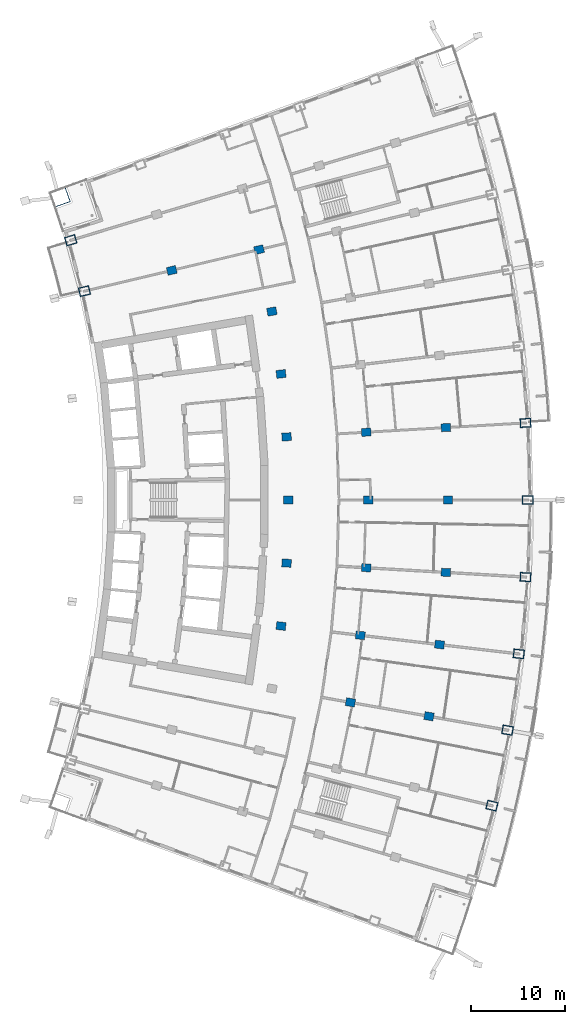
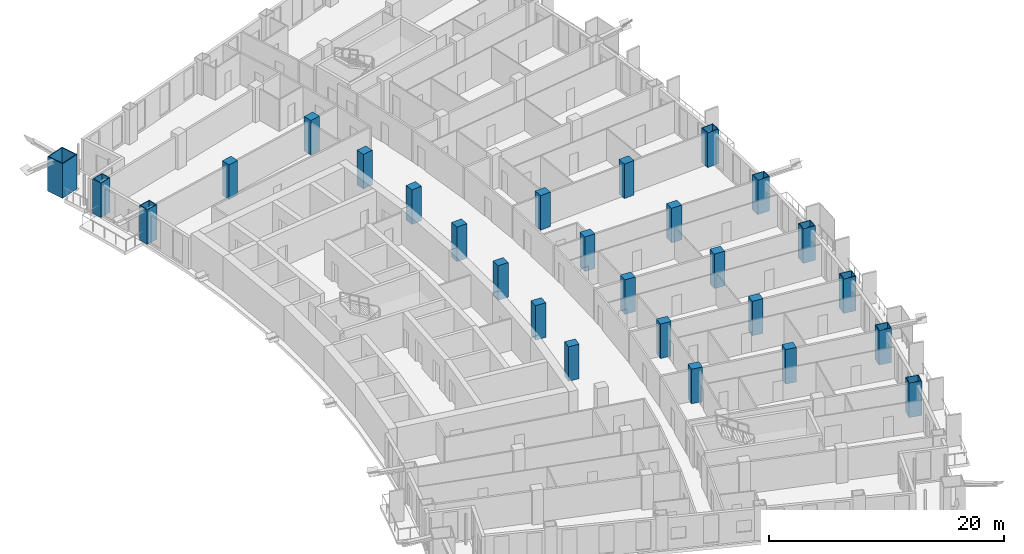
# One storey, part 5 of 23: 27 columns.
"""IFC4 building model written with IfcOpenShell, lengths in metres."""

import ifcopenshell
import ifcopenshell.guid

model = None  # the IFC model being written
_history = None  # IfcOwnerHistory: only IFC2X3 demands one
_inside = {}  # id of a spatial element -> (the spatial element, [elements in it])
_under = {}  # id of a project, library or spatial element -> (it, [spatial elements below it])
_declared = {}  # id of a project -> (the project, [libraries it declares])
_typed = {}  # id of a type object -> (the type object, [elements of that type])
_made_of = {}  # id of a material, layer set ... -> (it, [elements and type objects made of it])


def new_model(schema):
    """Start an empty IFC model of exactly this schema.

    Asked for "IFC4X3", IfcOpenShell would pick the latest addendum, in which some entities
    have other attributes; the version numbers below select the first issue.
    IFC2X3 requires an IfcOwnerHistory on every rooted entity: one is made here for all.
    """
    global model, _history
    if schema == "IFC4X3":
        model = ifcopenshell.file(schema_version=(4, 3, 0, 0))
    else:
        model = ifcopenshell.file(schema=schema)
    _inside.clear()
    _under.clear()
    _declared.clear()
    _typed.clear()
    _made_of.clear()
    _history = None
    if model.schema == "IFC2X3":
        org = make("IfcOrganization", Name="unknown")
        user = make(
            "IfcPersonAndOrganization",
            ThePerson=make("IfcPerson", FamilyName="unknown"),
            TheOrganization=org,
        )
        app = make(
            "IfcApplication",
            ApplicationDeveloper=org,
            Version="unknown",
            ApplicationFullName="unknown",
            ApplicationIdentifier="unknown",
        )
        _history = make(
            "IfcOwnerHistory",
            OwningUser=user,
            OwningApplication=app,
            ChangeAction="ADDED",
            CreationDate=0,
        )
    return model


def make(cls, **values):
    """One entity of the class cls with the attributes given. An attribute that is None is left unset."""
    return model.create_entity(
        cls, **{name: value for name, value in values.items() if value is not None}
    )


def rooted(cls, **values):
    """An entity with a GlobalId (a new one), such as an element, a storey or a relation."""
    return make(cls, GlobalId=ifcopenshell.guid.new(), OwnerHistory=_history, **values)


def si_unit(unit_type, name, prefix=None):
    """IfcSIUnit, for example si_unit("LENGTHUNIT", "METRE", prefix="MILLI")."""
    return make("IfcSIUnit", UnitType=unit_type, Prefix=prefix, Name=name)


def assignment(units):
    """IfcUnitAssignment: the units of a project."""
    return None if units is None else make("IfcUnitAssignment", Units=units)


def point(xyz):
    """IfcCartesianPoint."""
    return None if xyz is None else make("IfcCartesianPoint", Coordinates=xyz)


def direction(xyz):
    """IfcDirection."""
    return None if xyz is None else make("IfcDirection", DirectionRatios=xyz)


def frame(location, z_axis=None, x_axis=None):
    """IfcAxis2Placement3D, a coordinate frame: its origin and axes. An axis left out is left unset."""
    return make(
        "IfcAxis2Placement3D",
        Location=point(location),
        Axis=direction(z_axis),
        RefDirection=direction(x_axis),
    )


def frame_2d(location, x_axis=None):
    """IfcAxis2Placement2D, a coordinate frame in the plane: its origin and x axis."""
    return make(
        "IfcAxis2Placement2D", Location=point(location), RefDirection=direction(x_axis)
    )


def origin():
    """The frame at (0, 0, 0) with its axes left unset."""
    return frame((0.0, 0.0, 0.0))


def origin_2d():
    """The frame at (0, 0) in the plane with its x axis left unset."""
    return frame_2d((0.0, 0.0))


def place(relative_to, where):
    """IfcLocalPlacement: puts the frame where relative to a parent placement (None: the world)."""
    return make(
        "IfcLocalPlacement", PlacementRelTo=relative_to, RelativePlacement=where
    )


def context(
    kind, dimensions, precision=None, world=None, true_north=None, identifier=None
):
    """IfcGeometricRepresentationContext, for example the 3D "Model" context."""
    return make(
        "IfcGeometricRepresentationContext",
        ContextIdentifier=identifier,
        ContextType=kind,
        CoordinateSpaceDimension=dimensions,
        Precision=precision,
        WorldCoordinateSystem=world,
        TrueNorth=true_north,
    )


def subcontext(parent, identifier, kind, view, scale=None):
    """IfcGeometricRepresentationSubContext, for example "Body" below "Model"."""
    return make(
        "IfcGeometricRepresentationSubContext",
        ContextIdentifier=identifier,
        ContextType=kind,
        ParentContext=parent,
        TargetScale=scale,
        TargetView=view,
    )


def project(units=None, contexts=None):
    """IfcProject with its units and contexts."""
    return rooted(
        "IfcProject",
        Name="project",
        RepresentationContexts=contexts,
        UnitsInContext=assignment(units),
    )


def spatial(cls, under=None, at=None, **own):
    """A site, building, storey or space (cls), placed at a placement, below another one or the project."""
    s = rooted(cls, ObjectPlacement=at, **own)
    if under is not None:
        _under.setdefault(under.id(), (under, []))[1].append(s)
    return s


def profile(cls, at=None, kind="AREA", **sizes):
    """A parametric profile (cls). Its sizes go by their IFC names, for example OverallWidth=200.0."""
    return make(cls, ProfileType=kind, Position=at, **sizes)


def rectangle(**sizes):
    """IfcRectangleProfileDef."""
    return profile("IfcRectangleProfileDef", **sizes)


def hollow_rectangle(**sizes):
    """IfcRectangleHollowProfileDef."""
    return profile("IfcRectangleHollowProfileDef", **sizes)


def extrude(swept, where, along, depth):
    """IfcExtrudedAreaSolid: the profile swept, set in the frame where, extruded along a direction by depth."""
    return make(
        "IfcExtrudedAreaSolid",
        SweptArea=swept,
        Position=where,
        ExtrudedDirection=direction(along),
        Depth=depth,
    )


def shape(context_of_items, identifier, shape_type, items):
    """IfcShapeRepresentation: the items that make up one representation, for example the "Body"."""
    return make(
        "IfcShapeRepresentation",
        ContextOfItems=context_of_items,
        RepresentationIdentifier=identifier,
        RepresentationType=shape_type,
        Items=items,
    )


def material(Name=None, Category=None):
    """IfcMaterial."""
    return make("IfcMaterial", Name=Name, Category=Category)


def material_profile(
    of_material, cross_section, Name=None, Category=None, Priority=None
):
    """IfcMaterialProfile: a cross section and its material."""
    return make(
        "IfcMaterialProfile",
        Name=Name,
        Material=of_material,
        Profile=cross_section,
        Priority=Priority,
        Category=Category,
    )


def profile_set(profiles, Name=None, composite=None):
    """IfcMaterialProfileSet."""
    return make(
        "IfcMaterialProfileSet",
        Name=Name,
        MaterialProfiles=profiles,
        CompositeProfile=composite,
    )


def made_of(thing, what):
    """Note that an element or type object is made of a material, layer set ...; save() writes the relation."""
    if what is not None:
        _made_of.setdefault(what.id(), (what, []))[1].append(thing)
    return thing


def type_object(cls, material=None, **own):
    """A type object (cls), such as IfcWallType, which elements share."""
    return made_of(rooted(cls, **own), material)


def element(
    cls,
    number,
    at=None,
    inside=None,
    cuts=None,
    type_object=None,
    material=None,
    context=None,
    identifier="Body",
    shape_type=None,
    held_by="IfcProductDefinitionShape",
    body=None,
    shapes=None,
    **own,
):
    """One element of the class cls, such as IfcWall. Its Tag is "e" and its number.

    at: its placement. inside: the storey or other place that contains it. cuts: it is an
    opening in that element (IfcRelVoidsElement). A single representation is given by context,
    identifier, shape_type and body (its items); several are given by shapes. held_by: the class
    of the entity that holds the representations. save() writes the other relations.
    """
    e = rooted(cls, Tag="e%d" % number, ObjectPlacement=at, **own)
    if body is not None:
        shapes = [shape(context, identifier, shape_type, body)]
    if shapes is not None:
        e.Representation = make(held_by, Representations=shapes)
    if inside is not None:
        _inside.setdefault(inside.id(), (inside, []))[1].append(e)
    if cuts is not None:
        rooted(
            "IfcRelVoidsElement", RelatingBuildingElement=cuts, RelatedOpeningElement=e
        )
    if type_object is not None:
        _typed.setdefault(type_object.id(), (type_object, []))[1].append(e)
    return made_of(e, material)


def aggregate(whole, parts):
    """IfcRelAggregates: a whole, such as a stair, and the parts it consists of."""
    return rooted("IfcRelAggregates", RelatingObject=whole, RelatedObjects=parts)


def save(model, path):
    """Write the relations noted so far, then the file.

    IfcRelAggregates (storeys below a building ...), IfcRelContainedInSpatialStructure (elements
    in a storey), IfcRelDefinesByType, IfcRelAssociatesMaterial and IfcRelDeclares: one each for
    every whole, place, type object, material and project.
    """
    for whole, parts in _under.values():
        aggregate(whole, parts)
    for where, things in _inside.values():
        rooted(
            "IfcRelContainedInSpatialStructure",
            RelatedElements=things,
            RelatingStructure=where,
        )
    for kind, things in _typed.values():
        rooted("IfcRelDefinesByType", RelatedObjects=things, RelatingType=kind)
    for what, things in _made_of.values():
        rooted("IfcRelAssociatesMaterial", RelatedObjects=things, RelatingMaterial=what)
    for by, libraries in _declared.values():
        rooted("IfcRelDeclares", RelatingContext=by, RelatedDefinitions=libraries)
    model.write(path)


model = new_model("IFC4")

# Units and contexts
model_context = context("Model", 3, precision=1e-05, world=origin(), true_north=direction((0.0, 1.0)))
body_context = subcontext(model_context, "Body", "Model", "MODEL_VIEW")
ifc_project = project(units=[si_unit("LENGTHUNIT", "METRE"), si_unit("AREAUNIT", "SQUARE_METRE"), si_unit("VOLUMEUNIT", "CUBIC_METRE"), si_unit("PLANEANGLEUNIT", "RADIAN"), si_unit("MASSUNIT", "GRAM", prefix="KILO")], contexts=[model_context])

# Site, building, storey
site_placement = place(None, origin())
site = spatial("IfcSite", under=ifc_project, at=site_placement, CompositionType="ELEMENT")
building_placement = place(site_placement, origin())
building = spatial("IfcBuilding", under=site, at=building_placement, Name="Alderwake Tower", CompositionType="ELEMENT")
storey_placement = place(building_placement, frame((0.0, 0.0, 100.39990234375)))
storey = spatial("IfcBuildingStorey", under=building, at=storey_placement, Name="L24", CompositionType="ELEMENT", Elevation=100.39990234375)

# Columns
ifc_material_1 = material(Name="Concrete C70/85", Category="concrete")
ifc_material_profile_1 = material_profile(ifc_material_1, rectangle(XDim=0.85009765625, YDim=1.0, at=origin_2d()), Name="RC 1000X850")
ifc_profile_set_1 = profile_set([ifc_material_profile_1], Name="Concrete C70/85")
column_type_1 = type_object("IfcColumnType", Name="Interior column Z2", PredefinedType="COLUMN", material=ifc_profile_set_1)
for number, where, z_axis, x_axis, name in (
    (1, (42.434326171875, 39.3525390625, 0.0), (0.0, 0.0, 1.0), (0.174107082075, 0.984726725529, 0.0), "Column R04-C3"),
    (2, (50.83740234375, 37.86669921875, 0.0), (0.0, 0.0, 1.0), (0.174108800747, 0.984726421654, 0.0), "Column R04-C4"),
    (3, (35.0126953125, 47.5205078125, 0.0), (0.0, 0.0, 1.0), (0.116402054316, 0.993202175668, 0.0), "Column R05-C2"),
    (4, (43.488037109375, 46.52734375, 0.0), (0.0, 0.0, 1.0), (0.116402054316, 0.993202175668, 0.0), "Column R05-C3"),
    (5, (51.96337890625, 45.533935546875, 0.0), (0.0, 0.0, 1.0), (0.116402054316, 0.993202175668, 0.0), "Column R05-C4"),
    (6, (35.60302734375, 54.248779296875, 0.0), (0.0, 0.0, 1.0), (0.058301061284, 0.998299046505, 0.0), "Column R06-C2"),
    (7, (44.121826171875, 53.751220703125, 0.0), (0.0, 0.0, 1.0), (0.058301061284, 0.998299046505, 0.0), "Column R06-C3"),
    (8, (52.640625, 53.25390625, 0.0), (0.0, 0.0, 1.0), (0.058301061284, 0.998299046505, 0.0), "Column R06-C4"),
    (9, (35.800048828125, 61.0, 0.0), (0.0, 0.0, 1.0), (0.0, 1.0, 0.0), "Column R07-C2"),
    (10, (44.333251953125, 61.0, 0.0), (0.0, 0.0, 1.0), (0.0, 1.0, 0.0), "Column R07-C3"),
    (11, (52.86669921875, 61.0, 0.0), (0.0, 0.0, 1.0), (0.0, 1.0, 0.0), "Column R07-C4"),
    (12, (35.60302734375, 67.751220703125, 0.0), (0.0, 0.0, 1.0), (-0.058301061284, 0.998299046505, 0.0), "Column R08-C2"),
    (13, (44.121826171875, 68.248779296875, 0.0), (0.0, 0.0, 1.0), (-0.058301061284, 0.998299046505, 0.0), "Column R08-C3"),
    (14, (52.640625, 68.74609375, 0.0), (0.0, 0.0, 1.0), (-0.058301061284, 0.998299046505, 0.0), "Column R08-C4"),
    (15, (35.0126953125, 74.4794921875, 0.0), (0.0, 0.0, 1.0), (-0.116402054316, 0.993202175668, 0.0), "Column R09-C2"),
    (16, (34.03125, 81.16162109375, 0.0), (0.0, 0.0, 1.0), (-0.174108800747, 0.984726421654, 0.0), "Column R10-C2"),
    (17, (23.322021484375, 85.555908203125, 0.0), (0.0, 0.0, 1.0), (-0.231221547198, 0.972901123502, 0.0), "Column R11-C1"),
    (18, (32.661865234375, 87.775390625, 0.0), (0.0, 0.0, 1.0), (-0.231221547198, 0.972901123502, 0.0), "Column R11-C2"),
):
    element("IfcColumn", number, at=place(storey_placement, frame(where, z_axis=z_axis, x_axis=x_axis)), inside=storey, type_object=column_type_1, Name=name, PredefinedType="COLUMN", context=body_context, shape_type="SweptSolid", body=[
        extrude(rectangle(XDim=0.85009765625, YDim=1.0, at=origin_2d()), origin(), (0.0, 0.0, 1.0), 3.60009765625),
    ])
ifc_material_2 = material(Name="Steel ASTM A572 Grade 50 concrete filled C70/85", Category="concrete")
ifc_material_profile_2 = material_profile(ifc_material_2, hollow_rectangle(XDim=1.699951171875, YDim=1.89990234375, WallThickness=0.0849609375, at=origin_2d()), Name="BOX 1900X1700X85")
ifc_profile_set_2 = profile_set([ifc_material_profile_2], Name="Steel ASTM A572 Grade 50 concrete filled C70/85")
column_type_2 = type_object("IfcColumnType", Name="Mega column Z2", PredefinedType="COLUMN", material=ifc_profile_set_2)
column_placement = place(storey_placement, frame((11.330810546875, 93.377197265625, 0.0), z_axis=(0.0, 0.0, 1.0), x_axis=(-0.334130947791, 0.942526662609, 0.0)))
element("IfcColumn", 19, at=column_placement, inside=storey, type_object=column_type_2, Name="Column R13-C0", PredefinedType="COLUMN", context=body_context, shape_type="SweptSolid", body=[
    extrude(hollow_rectangle(XDim=1.699951171875, YDim=1.89990234375, WallThickness=0.0849609375, at=origin_2d()), origin(), (0.0, 0.0, 1.0), 3.60009765625),
])
ifc_material_3 = material(Name="Steel ASTM A572 Grade 50 concrete filled C70/85", Category="concrete")
ifc_material_profile_3 = material_profile(ifc_material_3, hollow_rectangle(XDim=0.949951171875, YDim=1.14990234375, WallThickness=0.06005859375, at=origin_2d()), Name="BOX 1150X950X60")
ifc_profile_set_3 = profile_set([ifc_material_profile_3], Name="Steel ASTM A572 Grade 50 concrete filled C70/85")
column_type_3 = type_object("IfcColumnType", Name="Perimeter column Z2", PredefinedType="COLUMN", material=ifc_profile_set_3)
for number, where, z_axis, x_axis, name in (
    (20, (57.568115234375, 28.30517578125, 0.0), (0.0, 0.0, 1.0), (0.231221547198, 0.972901123502, 0.0), "Column R03-C5"),
    (21, (59.240234375, 36.381103515625, 0.0), (0.0, 0.0, 1.0), (0.174108800747, 0.984726421654, 0.0), "Column R04-C5"),
    (22, (60.438720703125, 44.540771484375, 0.0), (0.0, 0.0, 1.0), (0.116402054316, 0.993202175668, 0.0), "Column R05-C5"),
    (23, (61.159423828125, 52.75634765625, 0.0), (0.0, 0.0, 1.0), (0.058301061284, 0.998299046505, 0.0), "Column R06-C5"),
    (24, (61.39990234375, 61.0, 0.0), (0.0, 0.0, 1.0), (0.0, 1.0, 0.0), "Column R07-C5"),
    (25, (61.159423828125, 69.24365234375, 0.0), (0.0, 0.0, 1.0), (-0.058301061284, 0.998299046505, 0.0), "Column R08-C5"),
    (26, (13.982177734375, 83.3359375, 0.0), (0.0, 0.0, 1.0), (-0.231221547198, 0.972901123502, 0.0), "Column R11-C0"),
    (27, (12.520263671875, 88.777099609375, 0.0), (0.0, 0.0, 1.0), (-0.287549418125, 0.957765802342, 0.0), "Column R12-C0"),
):
    element("IfcColumn", number, at=place(storey_placement, frame(where, z_axis=z_axis, x_axis=x_axis)), inside=storey, type_object=column_type_3, Name=name, PredefinedType="COLUMN", context=body_context, shape_type="SweptSolid", body=[
        extrude(hollow_rectangle(XDim=0.949951171875, YDim=1.14990234375, WallThickness=0.06005859375, at=origin_2d()), origin(), (0.0, 0.0, 1.0), 3.60009765625),
    ])

save(model, "model.ifc")
